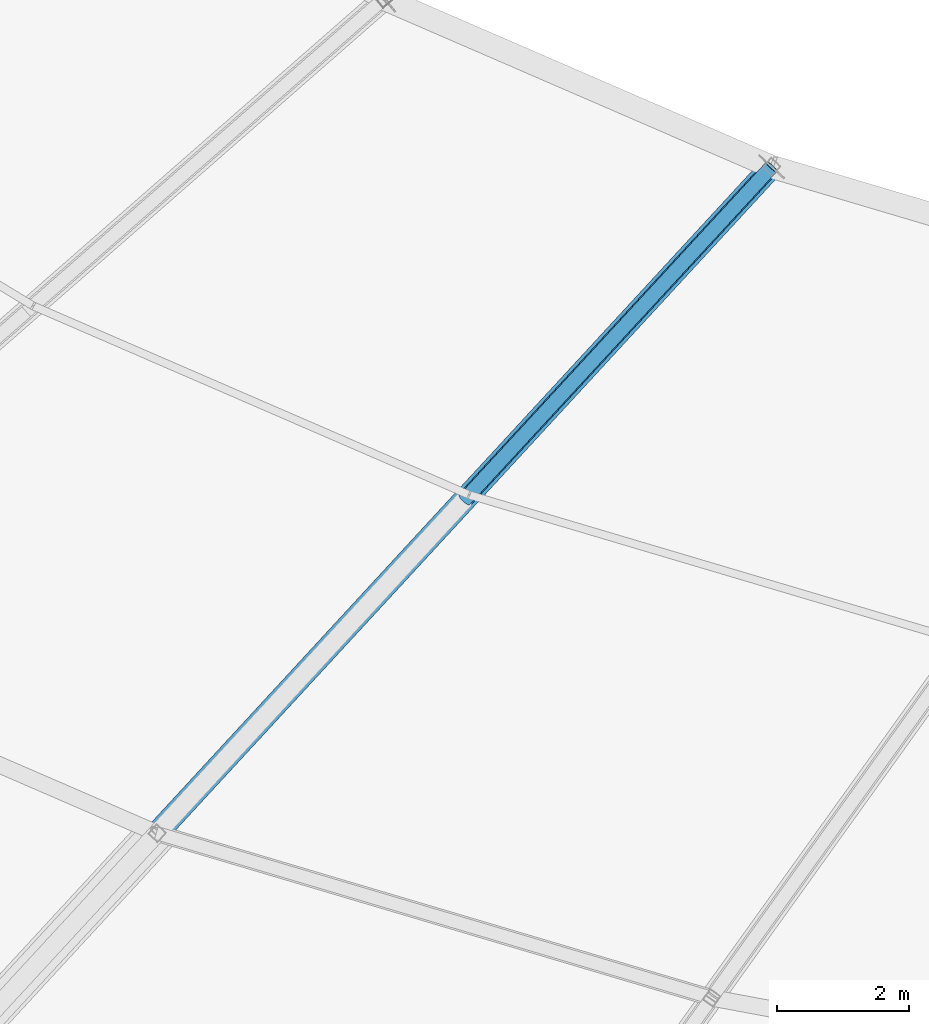
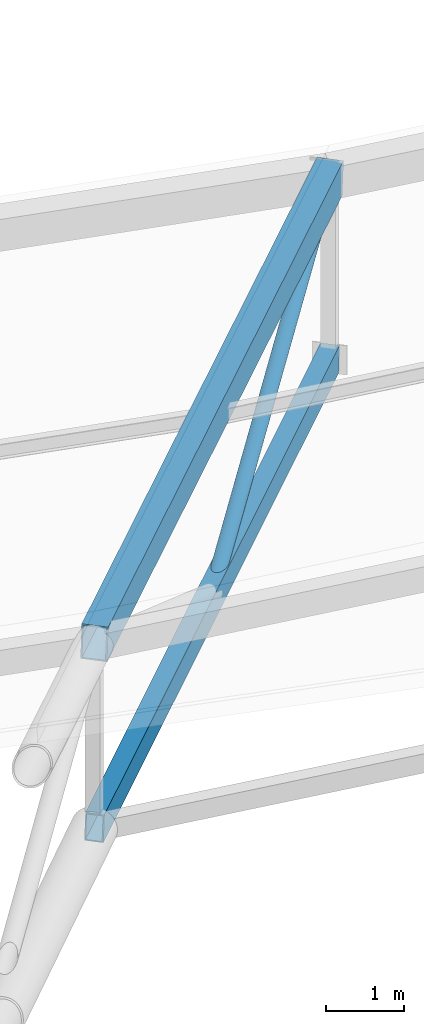
# One storey, part 21 of 143: 2 beams, 1 member.
"""IFC4 building model written with IfcOpenShell, lengths in metres."""

from ifc_helpers import new_model, si_unit, direction, frame, origin, origin_2d, place, context, subcontext, project, spatial, hollow_rectangle, hollow_circle, extrude, material, material_profile, profile_set, type_object, element, save


model = new_model("IFC4")

# Units and contexts
model_context = context("Model", 3, precision=1e-05, world=origin(), true_north=direction((0.0, 1.0)))
body_context = subcontext(model_context, "Body", "Model", "MODEL_VIEW")
ifc_project = project(units=[si_unit("LENGTHUNIT", "METRE"), si_unit("AREAUNIT", "SQUARE_METRE"), si_unit("VOLUMEUNIT", "CUBIC_METRE"), si_unit("PLANEANGLEUNIT", "RADIAN"), si_unit("MASSUNIT", "GRAM", prefix="KILO")], contexts=[model_context])

# Site, building, storey
site_placement = place(None, origin())
site = spatial("IfcSite", under=ifc_project, at=site_placement, CompositionType="ELEMENT")
building_placement = place(site_placement, origin())
building = spatial("IfcBuilding", under=site, at=building_placement, Name="Mphavela Belvedere Stadium", CompositionType="ELEMENT")
storey_placement = place(building_placement, frame((0.0, 0.0, 28.800048828125)))
storey = spatial("IfcBuildingStorey", under=building, at=storey_placement, Name="RF", CompositionType="ELEMENT", Elevation=28.800048828125)

# Beams
ifc_material_1 = material(Name="Steel S355", Category="steel")
ifc_material_profile_1 = material_profile(ifc_material_1, hollow_rectangle(XDim=0.25, YDim=0.39990234375, WallThickness=0.01611328125, at=origin_2d()), Name="RHS 400x250x16")
ifc_profile_set_1 = profile_set([ifc_material_profile_1], Name="Steel S355")
beam_type_1 = type_object("IfcBeamType", Name="BM-TRUSS-BC2", PredefinedType="BEAM", material=ifc_profile_set_1)
beam_1_placement = place(storey_placement, frame((68.86572265625, 36.9638671875, 5.041259765625), z_axis=(0.670518818066, 0.727224831427, -0.146794275009), x_axis=(-0.735189102669, 0.677862068061, 0.0)))
element("IfcBeam", 1, at=beam_1_placement, inside=storey, type_object=beam_type_1, Name="Radial roof truss RT-33 bottom chord 3", PredefinedType="BEAM", context=body_context, shape_type="SweptSolid", body=[
    extrude(hollow_rectangle(XDim=0.25, YDim=0.39990234375, WallThickness=0.01611328125, at=origin_2d()), origin(), (0.0, 0.0, 1.0), 13.93212890625),
])
ifc_material_2 = material(Name="Steel S355", Category="steel")
ifc_material_profile_2 = material_profile(ifc_material_2, hollow_rectangle(XDim=0.35009765625, YDim=0.5, WallThickness=0.02001953125, at=origin_2d()), Name="RHS 500x350x20")
ifc_profile_set_2 = profile_set([ifc_material_profile_2], Name="Steel S355")
beam_type_2 = type_object("IfcBeamType", Name="BM-TRUSS-TC2", PredefinedType="BEAM", material=ifc_profile_set_2)
beam_2_placement = place(storey_placement, frame((68.86572265625, 36.9638671875, 7.941162109375), z_axis=(0.670162956459, 0.726838874479, -0.150289262214), x_axis=(-0.735189102669, 0.677862068061, 0.0)))
element("IfcBeam", 2, at=beam_2_placement, inside=storey, type_object=beam_type_2, Name="Radial roof truss RT-33 top chord 3", PredefinedType="BEAM", context=body_context, shape_type="SweptSolid", body=[
    extrude(hollow_rectangle(XDim=0.35009765625, YDim=0.5, WallThickness=0.02001953125, at=origin_2d()), origin(), (0.0, 0.0, 1.0), 13.939697265625),
])

# Member
ifc_material_3 = material(Name="Steel S355", Category="steel")
ifc_material_profile_3 = material_profile(ifc_material_3, hollow_circle(Radius=0.109619140625, WallThickness=0.012451171875, at=origin_2d()), Name="CHS 219.1x12.5")
ifc_profile_set_3 = profile_set([ifc_material_profile_3], Name="Steel S355")
member_type = type_object("IfcMemberType", Name="MEM-DIAG-219", PredefinedType="BRACE", material=ifc_profile_set_3)
member_placement = place(storey_placement, frame((73.53662109375, 42.02978515625, 4.0185546875), z_axis=(0.655206970237, 0.710618055217, 0.25637044633), x_axis=(-0.735189102669, 0.677862068061, 0.0)))
element("IfcMember", 3, at=member_placement, inside=storey, type_object=member_type, Name="Radial roof truss RT-33 web diagonal D6", PredefinedType="BRACE", context=body_context, shape_type="SweptSolid", body=[
    extrude(hollow_circle(Radius=0.109619140625, WallThickness=0.012451171875, at=origin_2d()), origin(), (0.0, 0.0, 1.0), 7.12890625),
])

save(model, "model.ifc")
